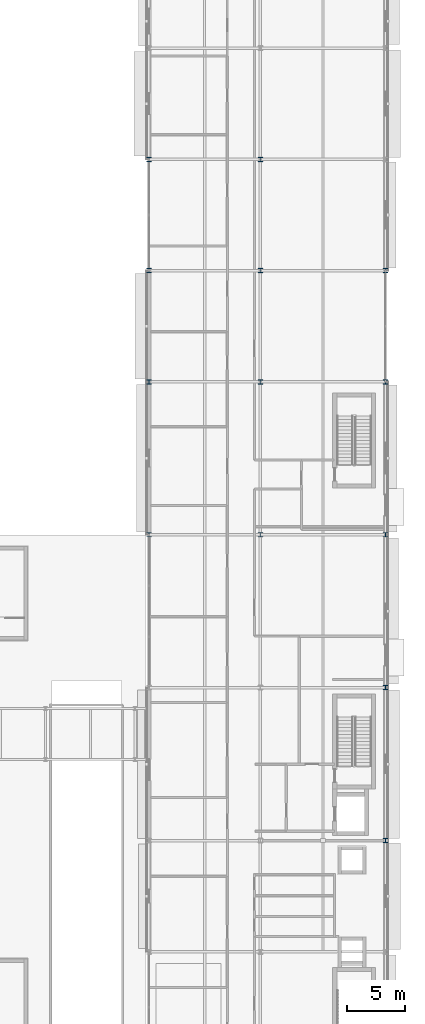
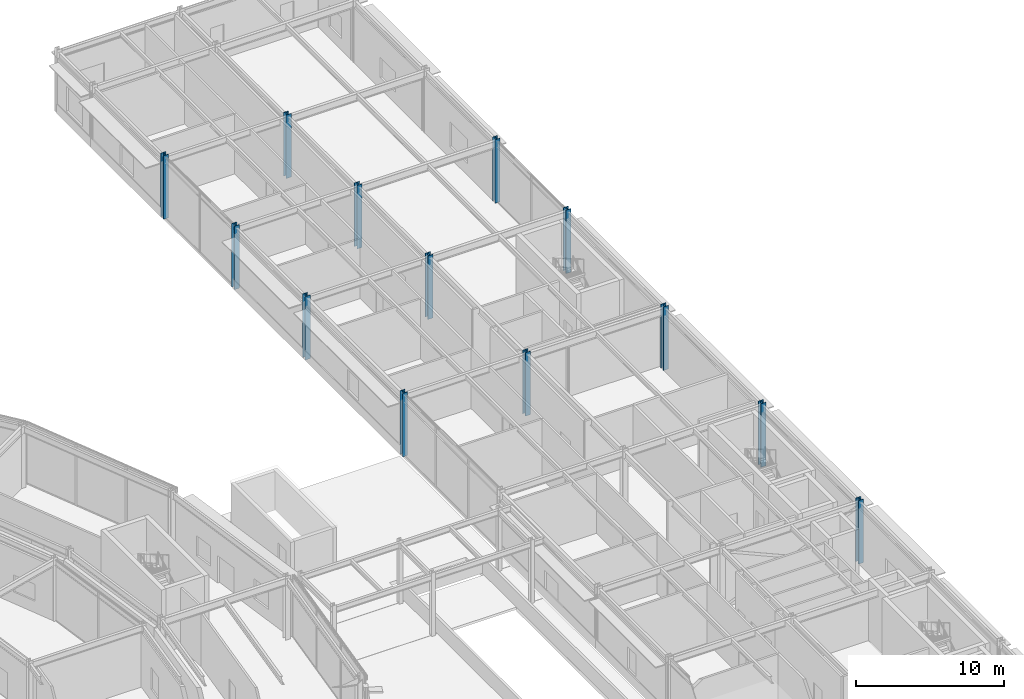
# One storey, part 18 of 168: 13 columns.
"""IFC4 building model written with IfcOpenShell, lengths in metres."""

from ifc_helpers import new_model, si_unit, direction, frame, origin, origin_2d, place, context, subcontext, project, spatial, i_section, extrude, material, material_profile, profile_set, type_object, element, save


model = new_model("IFC4")

# Units and contexts
model_context = context("Model", 3, precision=1e-05, world=origin(), true_north=direction((0.0, 1.0)))
body_context = subcontext(model_context, "Body", "Model", "MODEL_VIEW")
ifc_project = project(units=[si_unit("LENGTHUNIT", "METRE"), si_unit("AREAUNIT", "SQUARE_METRE"), si_unit("VOLUMEUNIT", "CUBIC_METRE"), si_unit("PLANEANGLEUNIT", "RADIAN"), si_unit("MASSUNIT", "GRAM", prefix="KILO")], contexts=[model_context])

# Site, building, storey
site_placement = place(None, origin())
site = spatial("IfcSite", under=ifc_project, at=site_placement, CompositionType="ELEMENT")
building_placement = place(site_placement, origin())
building = spatial("IfcBuilding", under=site, at=building_placement, Name="Almandine Court Research Institute", CompositionType="ELEMENT")
storey_placement = place(building_placement, origin())
storey = spatial("IfcBuildingStorey", under=building, at=storey_placement, Name="L00", CompositionType="ELEMENT", Elevation=0.0)

# Columns
ifc_material = material(Name="Steel ASTM A992 Grade 50", Category="steel")
ifc_material_profile_1 = material_profile(ifc_material, i_section(OverallWidth=0.39794921875, OverallDepth=0.386962890625, WebThickness=0.02392578125, FlangeThickness=0.0390625, at=origin_2d()), Name="W360x262")
ifc_profile_set_1 = profile_set([ifc_material_profile_1], Name="Steel ASTM A992 Grade 50")
column_type_1 = type_object("IfcColumnType", Name="Col-C-W01", PredefinedType="COLUMN", material=ifc_profile_set_1)
for number, where, z_axis, x_axis, name in (
    (1, (153.60009765625, 70.800048828125, 0.0), (0.0, 0.0, 1.0), (1.0, 0.0, 0.0), "L00 V4 Column V4-X2Y7"),
    (2, (153.60009765625, 84.0, 0.0), (0.0, 0.0, 1.0), (1.0, 0.0, 0.0), "L00 V4 Column V4-X2Y8"),
    (3, (153.60009765625, 93.60009765625, 0.0), (0.0, 0.0, 1.0), (1.0, 0.0, 0.0), "L00 V4 Column V4-X2Y9"),
    (4, (153.60009765625, 103.199951171875, 0.0), (0.0, 0.0, 1.0), (1.0, 0.0, 0.0), "L00 V4 Column V4-X2Y10"),
    (5, (163.199951171875, 70.800048828125, 0.0), (0.0, 0.0, 1.0), (1.0, 0.0, 0.0), "L00 V4 Column V4-X3Y7"),
    (6, (163.199951171875, 84.0, 0.0), (0.0, 0.0, 1.0), (1.0, 0.0, 0.0), "L00 V4 Column V4-X3Y8"),
    (7, (163.199951171875, 93.60009765625, 0.0), (0.0, 0.0, 1.0), (1.0, 0.0, 0.0), "L00 V4 Column V4-X3Y9"),
    (8, (163.199951171875, 103.199951171875, 0.0), (0.0, 0.0, 1.0), (1.0, 0.0, 0.0), "L00 V4 Column V4-X3Y10"),
):
    element("IfcColumn", number, at=place(storey_placement, frame(where, z_axis=z_axis, x_axis=x_axis)), inside=storey, type_object=column_type_1, Name=name, PredefinedType="COLUMN", context=body_context, shape_type="SweptSolid", body=[
        extrude(i_section(OverallWidth=0.39794921875, OverallDepth=0.386962890625, WebThickness=0.02392578125, FlangeThickness=0.0390625, at=origin_2d()), origin(), (0.0, 0.0, 1.0), 5.25),
    ])
ifc_material_profile_2 = material_profile(ifc_material, i_section(OverallWidth=0.39794921875, OverallDepth=0.386962890625, WebThickness=0.02392578125, FlangeThickness=0.0390625, at=origin_2d()), Name="W360x262")
ifc_profile_set_2 = profile_set([ifc_material_profile_2], Name="Steel ASTM A992 Grade 50")
column_type_2 = type_object("IfcColumnType", Name="Col-C-W01-E", PredefinedType="COLUMN", material=ifc_profile_set_2)
for number, where, z_axis, x_axis, name in (
    (9, (174.0, 44.39990234375, 0.0), (0.0, 0.0, 1.0), (1.0, 0.0, 0.0), "L00 V4 Column V4-X4Y5"),
    (10, (174.0, 57.60009765625, 0.0), (0.0, 0.0, 1.0), (1.0, 0.0, 0.0), "L00 V4 Column V4-X4Y6"),
    (11, (174.0, 70.800048828125, 0.0), (0.0, 0.0, 1.0), (1.0, 0.0, 0.0), "L00 V4 Column V4-X4Y7"),
    (12, (174.0, 84.0, 0.0), (0.0, 0.0, 1.0), (1.0, 0.0, 0.0), "L00 V4 Column V4-X4Y8"),
    (13, (174.0, 93.60009765625, 0.0), (0.0, 0.0, 1.0), (1.0, 0.0, 0.0), "L00 V4 Column V4-X4Y9"),
):
    element("IfcColumn", number, at=place(storey_placement, frame(where, z_axis=z_axis, x_axis=x_axis)), inside=storey, type_object=column_type_2, Name=name, PredefinedType="COLUMN", context=body_context, shape_type="SweptSolid", body=[
        extrude(i_section(OverallWidth=0.39794921875, OverallDepth=0.386962890625, WebThickness=0.02392578125, FlangeThickness=0.0390625, at=origin_2d()), origin(), (0.0, 0.0, 1.0), 5.25),
    ])

save(model, "model.ifc")
